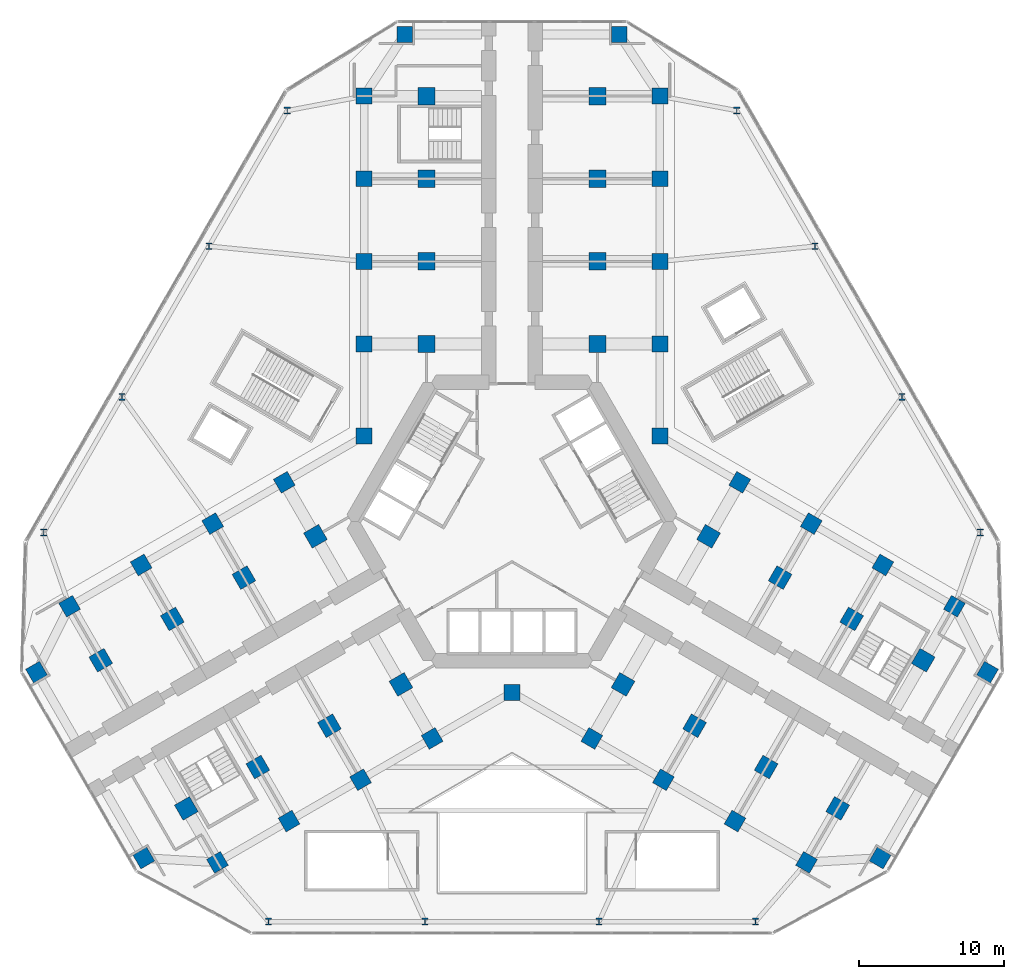
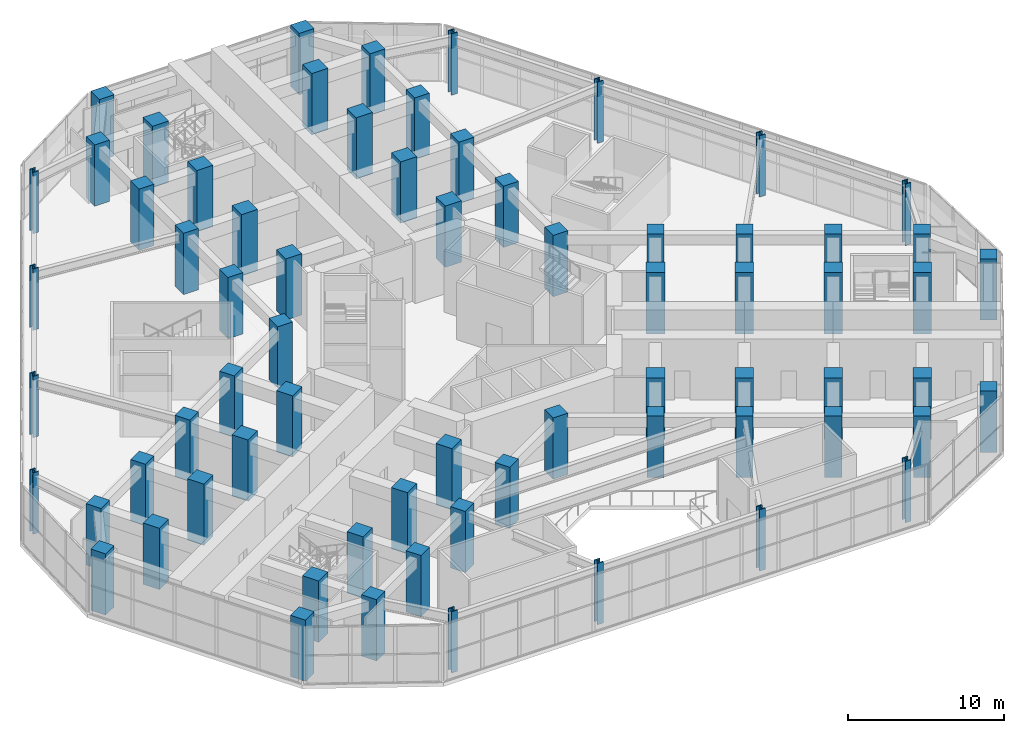
# One storey, part 1 of 22: 69 columns.
"""IFC4 building model written with IfcOpenShell, lengths in metres."""

from ifc_helpers import new_model, si_unit, direction, frame, origin, origin_2d, place, context, subcontext, project, spatial, rectangle, i_section, extrude, material, material_profile, profile_set, type_object, element, save


model = new_model("IFC4")

# Units and contexts
model_context = context("Model", 3, precision=1e-05, world=origin(), true_north=direction((0.0, 1.0)))
body_context = subcontext(model_context, "Body", "Model", "MODEL_VIEW")
ifc_project = project(units=[si_unit("LENGTHUNIT", "METRE"), si_unit("AREAUNIT", "SQUARE_METRE"), si_unit("VOLUMEUNIT", "CUBIC_METRE"), si_unit("PLANEANGLEUNIT", "RADIAN"), si_unit("MASSUNIT", "GRAM", prefix="KILO")], contexts=[model_context])

# Site, building, storey
site_placement = place(None, origin())
site = spatial("IfcSite", under=ifc_project, at=site_placement, CompositionType="ELEMENT")
building_placement = place(site_placement, origin())
building = spatial("IfcBuilding", under=site, at=building_placement, Name="Kosmar Iwan School Tower", CompositionType="ELEMENT")
storey_placement = place(building_placement, frame((0.0, 0.0, 15.60009765625)))
storey = spatial("IfcBuildingStorey", under=building, at=storey_placement, Name="L03", CompositionType="ELEMENT", Elevation=15.60009765625)

# Columns
ifc_material_1 = material(Name="Concrete C50/60", Category="concrete")
ifc_material_profile_1 = material_profile(ifc_material_1, rectangle(XDim=1.10009765625, YDim=1.10009765625, at=origin_2d()), Name="RC 1100x1100 + HD 400x744")
ifc_profile_set_1 = profile_set([ifc_material_profile_1], Name="Concrete C50/60")
column_type_1 = type_object("IfcColumnType", Name="Composite column 1100x1100 HD 400x744", PredefinedType="COLUMN", material=ifc_profile_set_1)
for number, where, z_axis, x_axis, name in (
    (1, (-10.199951171875, 12.25, 0.0), (0.0, 0.0, 1.0), (0.0, 1.0, 0.0), "Column AL1 L03"),
    (2, (-10.199951171875, 17.949951171875, 0.0), (0.0, 0.0, 1.0), (0.0, 1.0, 0.0), "Column AL2 L03"),
    (3, (-10.199951171875, 23.64990234375, 0.0), (0.0, 0.0, 1.0), (0.0, 1.0, 0.0), "Column AL3 L03"),
    (4, (-10.199951171875, 29.35009765625, 0.0), (0.0, 0.0, 1.0), (0.0, 1.0, 0.0), "Column AL4 L03"),
    (5, (-7.39990234375, 33.60009765625, 0.0), (0.0, 0.0, 1.0), (0.0, 1.0, 0.0), "Column ALTIP L03"),
    (6, (10.199951171875, 12.25, 0.0), (0.0, 0.0, 1.0), (0.0, 1.0, 0.0), "Column AR1 L03"),
    (7, (10.199951171875, 17.949951171875, 0.0), (0.0, 0.0, 1.0), (0.0, 1.0, 0.0), "Column AR2 L03"),
    (8, (10.199951171875, 23.64990234375, 0.0), (0.0, 0.0, 1.0), (0.0, 1.0, 0.0), "Column AR3 L03"),
    (9, (10.199951171875, 29.35009765625, 0.0), (0.0, 0.0, 1.0), (0.0, 1.0, 0.0), "Column AR4 L03"),
    (10, (7.39990234375, 33.60009765625, 0.0), (0.0, 0.0, 1.0), (0.0, 1.0, 0.0), "Column ARTIP L03"),
    (11, (-5.5087890625, -14.95849609375, 0.0), (0.0, 0.0, 1.0), (-0.866025403784, -0.5, 0.0), "Column BL1 L03"),
    (12, (-10.445068359375, -17.808349609375, 0.0), (0.0, 0.0, 1.0), (-0.866025403784, -0.5, 0.0), "Column BL2 L03"),
    (13, (-15.381591796875, -20.658447265625, 0.0), (0.0, 0.0, 1.0), (-0.866025403784, -0.5, 0.0), "Column BL3 L03"),
    (14, (-20.31787109375, -23.508544921875, 0.0), (0.0, 0.0, 1.0), (-0.866025403784, -0.5, 0.0), "Column BL4 L03"),
    (15, (-25.3984375, -23.20849609375, 0.0), (0.0, 0.0, 1.0), (-0.866025403784, -0.5, 0.0), "Column BLTIP L03"),
    (16, (-15.708740234375, 2.70849609375, 0.0), (0.0, 0.0, 1.0), (-0.866025403784, -0.5, 0.0), "Column BR1 L03"),
    (17, (-20.645263671875, -0.1416015625, 0.0), (0.0, 0.0, 1.0), (-0.866025403784, -0.5, 0.0), "Column BR2 L03"),
    (18, (-25.58154296875, -2.991455078125, 0.0), (0.0, 0.0, 1.0), (-0.866025403784, -0.5, 0.0), "Column BR3 L03"),
    (19, (-30.517822265625, -5.841552734375, 0.0), (0.0, 0.0, 1.0), (-0.866025403784, -0.5, 0.0), "Column BR4 L03"),
    (20, (-32.79833984375, -10.391357421875, 0.0), (0.0, 0.0, 1.0), (-0.866025403784, -0.5, 0.0), "Column BRTIP L03"),
    (21, (15.708740234375, 2.70849609375, 0.0), (0.0, 0.0, 1.0), (0.866025403784, -0.5, 0.0), "Column CL1 L03"),
    (22, (20.645263671875, -0.1416015625, 0.0), (0.0, 0.0, 1.0), (0.866025403784, -0.5, 0.0), "Column CL2 L03"),
    (23, (25.58154296875, -2.991455078125, 0.0), (0.0, 0.0, 1.0), (0.866025403784, -0.5, 0.0), "Column CL3 L03"),
    (24, (30.517822265625, -5.841552734375, 0.0), (0.0, 0.0, 1.0), (0.866025403784, -0.5, 0.0), "Column CL4 L03"),
    (25, (32.79833984375, -10.391357421875, 0.0), (0.0, 0.0, 1.0), (0.866025403784, -0.5, 0.0), "Column CLTIP L03"),
    (26, (5.5087890625, -14.95849609375, 0.0), (0.0, 0.0, 1.0), (0.866025403784, -0.5, 0.0), "Column CR1 L03"),
    (27, (10.445068359375, -17.808349609375, 0.0), (0.0, 0.0, 1.0), (0.866025403784, -0.5, 0.0), "Column CR2 L03"),
    (28, (15.381591796875, -20.658447265625, 0.0), (0.0, 0.0, 1.0), (0.866025403784, -0.5, 0.0), "Column CR3 L03"),
    (29, (20.31787109375, -23.508544921875, 0.0), (0.0, 0.0, 1.0), (0.866025403784, -0.5, 0.0), "Column CR4 L03"),
    (30, (25.3984375, -23.20849609375, 0.0), (0.0, 0.0, 1.0), (0.866025403784, -0.5, 0.0), "Column CRTIP L03"),
    (31, (-10.199951171875, 5.888916015625, 0.0), (0.0, 0.0, 1.0), (1.0, 0.0, 0.0), "Column RAB L03"),
    (32, (10.199951171875, 5.888916015625, 0.0), (0.0, 0.0, 1.0), (1.0, 0.0, 0.0), "Column RAC L03"),
    (33, (0.0, -11.77783203125, 0.0), (0.0, 0.0, 1.0), (1.0, 0.0, 0.0), "Column RBC L03"),
):
    element("IfcColumn", number, at=place(storey_placement, frame(where, z_axis=z_axis, x_axis=x_axis)), inside=storey, type_object=column_type_1, Name=name, PredefinedType="COLUMN", context=body_context, shape_type="SweptSolid", body=[
        extrude(rectangle(XDim=1.10009765625, YDim=1.10009765625, at=origin_2d()), origin(), (0.0, 0.0, 1.0), 4.7998046875),
    ])
ifc_material_2 = material(Name="Concrete C50/60", Category="concrete")
ifc_material_profile_2 = material_profile(ifc_material_2, rectangle(XDim=1.199951171875, YDim=1.199951171875, at=origin_2d()), Name="RC 1200x1200")
ifc_profile_set_2 = profile_set([ifc_material_profile_2], Name="Concrete C50/60")
column_type_2 = type_object("IfcColumnType", Name="RC interior column 1200x1200", PredefinedType="COLUMN", material=ifc_profile_set_2)
for number, where, z_axis, x_axis, name in (
    (34, (-5.89990234375, 12.25, 0.0), (0.0, 0.0, 1.0), (0.0, 1.0, 0.0), "Interior column ALI1 L03"),
    (35, (-5.89990234375, 17.949951171875, 0.0), (0.0, 0.0, 1.0), (0.0, 1.0, 0.0), "Interior column ALI2 L03"),
    (36, (-5.89990234375, 23.64990234375, 0.0), (0.0, 0.0, 1.0), (0.0, 1.0, 0.0), "Interior column ALI3 L03"),
    (37, (-5.89990234375, 29.35009765625, 0.0), (0.0, 0.0, 1.0), (0.0, 1.0, 0.0), "Interior column ALI4 L03"),
    (38, (5.89990234375, 12.25, 0.0), (0.0, 0.0, 1.0), (0.0, 1.0, 0.0), "Interior column ARI1 L03"),
    (39, (5.89990234375, 17.949951171875, 0.0), (0.0, 0.0, 1.0), (0.0, 1.0, 0.0), "Interior column ARI2 L03"),
    (40, (5.89990234375, 23.64990234375, 0.0), (0.0, 0.0, 1.0), (0.0, 1.0, 0.0), "Interior column ARI3 L03"),
    (41, (5.89990234375, 29.35009765625, 0.0), (0.0, 0.0, 1.0), (0.0, 1.0, 0.0), "Interior column ARI4 L03"),
    (42, (-7.65869140625, -11.234619140625, 0.0), (0.0, 0.0, 1.0), (-0.866025403784, -0.5, 0.0), "Interior column BLI1 L03"),
    (43, (-12.59521484375, -14.08447265625, 0.0), (0.0, 0.0, 1.0), (-0.866025403784, -0.5, 0.0), "Interior column BLI2 L03"),
    (44, (-17.531494140625, -16.9345703125, 0.0), (0.0, 0.0, 1.0), (-0.866025403784, -0.5, 0.0), "Interior column BLI3 L03"),
    (45, (-22.4677734375, -19.78466796875, 0.0), (0.0, 0.0, 1.0), (-0.866025403784, -0.5, 0.0), "Interior column BLI4 L03"),
    (46, (-13.558837890625, -1.015380859375, 0.0), (0.0, 0.0, 1.0), (-0.866025403784, -0.5, 0.0), "Interior column BRI1 L03"),
    (47, (-18.4951171875, -3.865478515625, 0.0), (0.0, 0.0, 1.0), (-0.866025403784, -0.5, 0.0), "Interior column BRI2 L03"),
    (48, (-23.431396484375, -6.71533203125, 0.0), (0.0, 0.0, 1.0), (-0.866025403784, -0.5, 0.0), "Interior column BRI3 L03"),
    (49, (-28.367919921875, -9.5654296875, 0.0), (0.0, 0.0, 1.0), (-0.866025403784, -0.5, 0.0), "Interior column BRI4 L03"),
    (50, (13.558837890625, -1.015380859375, 0.0), (0.0, 0.0, 1.0), (0.866025403784, -0.5, 0.0), "Interior column CLI1 L03"),
    (51, (18.4951171875, -3.865478515625, 0.0), (0.0, 0.0, 1.0), (0.866025403784, -0.5, 0.0), "Interior column CLI2 L03"),
    (52, (23.431396484375, -6.71533203125, 0.0), (0.0, 0.0, 1.0), (0.866025403784, -0.5, 0.0), "Interior column CLI3 L03"),
    (53, (28.367919921875, -9.5654296875, 0.0), (0.0, 0.0, 1.0), (0.866025403784, -0.5, 0.0), "Interior column CLI4 L03"),
    (54, (7.65869140625, -11.234619140625, 0.0), (0.0, 0.0, 1.0), (0.866025403784, -0.5, 0.0), "Interior column CRI1 L03"),
    (55, (12.59521484375, -14.08447265625, 0.0), (0.0, 0.0, 1.0), (0.866025403784, -0.5, 0.0), "Interior column CRI2 L03"),
    (56, (17.531494140625, -16.9345703125, 0.0), (0.0, 0.0, 1.0), (0.866025403784, -0.5, 0.0), "Interior column CRI3 L03"),
    (57, (22.4677734375, -19.78466796875, 0.0), (0.0, 0.0, 1.0), (0.866025403784, -0.5, 0.0), "Interior column CRI4 L03"),
):
    element("IfcColumn", number, at=place(storey_placement, frame(where, z_axis=z_axis, x_axis=x_axis)), inside=storey, type_object=column_type_2, Name=name, PredefinedType="COLUMN", context=body_context, shape_type="SweptSolid", body=[
        extrude(rectangle(XDim=1.199951171875, YDim=1.199951171875, at=origin_2d()), origin(), (0.0, 0.0, 1.0), 4.7998046875),
    ])
ifc_material_3 = material(Name="Steel S355", Category="steel")
ifc_material_profile_3 = material_profile(ifc_material_3, i_section(OverallWidth=0.424072265625, OverallDepth=0.47412109375, WebThickness=0.047607421875, FlangeThickness=0.0771484375, FilletRadius=0.014892578125, at=origin_2d()), Name="HD 400x634")
ifc_profile_set_3 = profile_set([ifc_material_profile_3], Name="Steel S355")
column_type_3 = type_object("IfcColumnType", Name="Steel column HD 400x634", PredefinedType="COLUMN", material=ifc_profile_set_3)
for number, where, z_axis, x_axis, name in (
    (58, (-32.30224609375, -0.749267578125, 0.0), (0.0, 0.0, 1.0), (1.0, 0.0, 0.0), "Infill column AB1"),
    (59, (-26.90234375, 8.603759765625, 0.0), (0.0, 0.0, 1.0), (1.0, 0.0, 0.0), "Infill column AB2"),
    (60, (-20.90234375, 18.99609375, 0.0), (0.0, 0.0, 1.0), (1.0, 0.0, 0.0), "Infill column AB3"),
    (61, (-15.502197265625, 28.34912109375, 0.0), (0.0, 0.0, 1.0), (1.0, 0.0, 0.0), "Infill column AB4"),
    (62, (15.502197265625, 28.34912109375, 0.0), (0.0, 0.0, 1.0), (1.0, 0.0, 0.0), "Infill column AC1"),
    (63, (20.90234375, 18.99609375, 0.0), (0.0, 0.0, 1.0), (1.0, 0.0, 0.0), "Infill column AC2"),
    (64, (26.90234375, 8.603759765625, 0.0), (0.0, 0.0, 1.0), (1.0, 0.0, 0.0), "Infill column AC3"),
    (65, (32.30224609375, -0.749267578125, 0.0), (0.0, 0.0, 1.0), (1.0, 0.0, 0.0), "Infill column AC4"),
    (66, (16.800048828125, -27.60009765625, 0.0), (0.0, 0.0, 1.0), (1.0, 0.0, 0.0), "Infill column BC1"),
    (67, (6.0, -27.60009765625, 0.0), (0.0, 0.0, 1.0), (1.0, 0.0, 0.0), "Infill column BC2"),
    (68, (-6.0, -27.60009765625, 0.0), (0.0, 0.0, 1.0), (1.0, 0.0, 0.0), "Infill column BC3"),
    (69, (-16.800048828125, -27.60009765625, 0.0), (0.0, 0.0, 1.0), (1.0, 0.0, 0.0), "Infill column BC4"),
):
    element("IfcColumn", number, at=place(storey_placement, frame(where, z_axis=z_axis, x_axis=x_axis)), inside=storey, type_object=column_type_3, Name=name, PredefinedType="COLUMN", context=body_context, shape_type="SweptSolid", body=[
        extrude(i_section(OverallWidth=0.424072265625, OverallDepth=0.47412109375, WebThickness=0.047607421875, FlangeThickness=0.0771484375, FilletRadius=0.014892578125, at=origin_2d()), origin(), (0.0, 0.0, 1.0), 4.7998046875),
    ])

save(model, "model.ifc")
